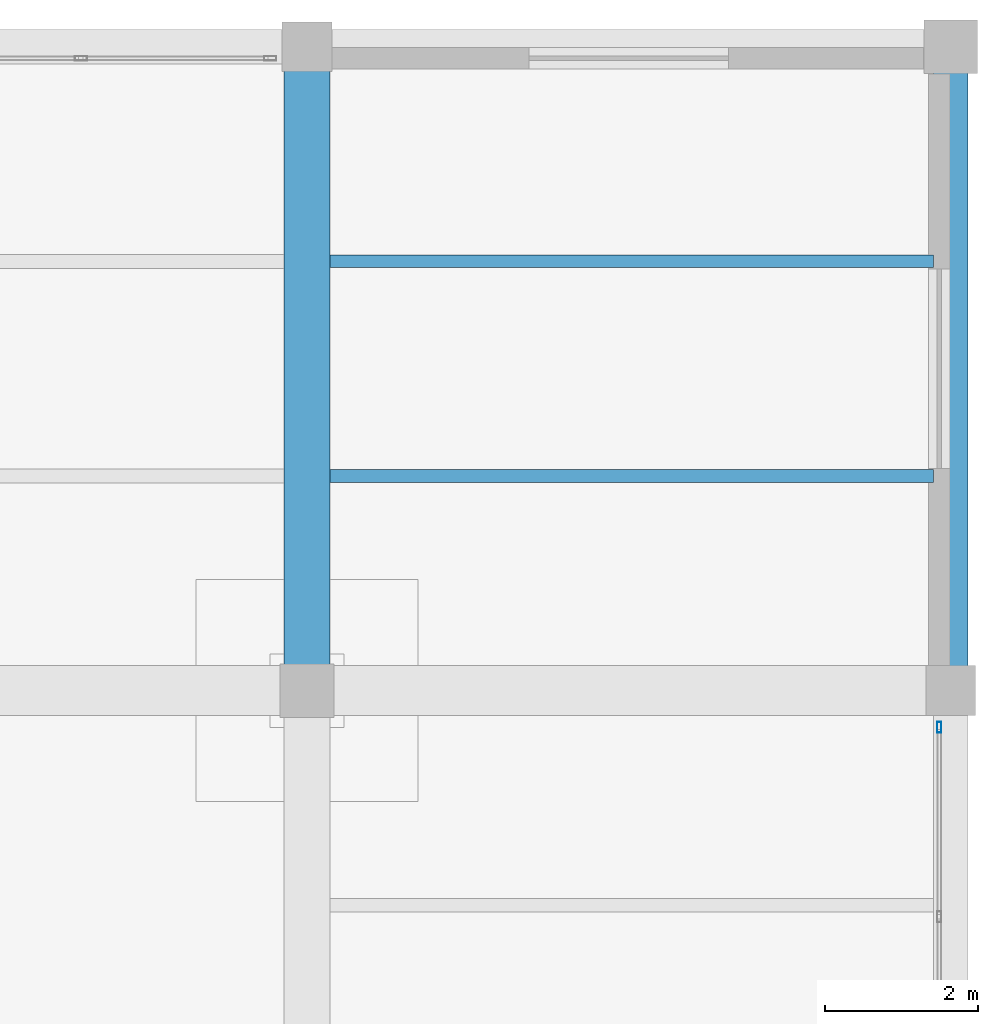
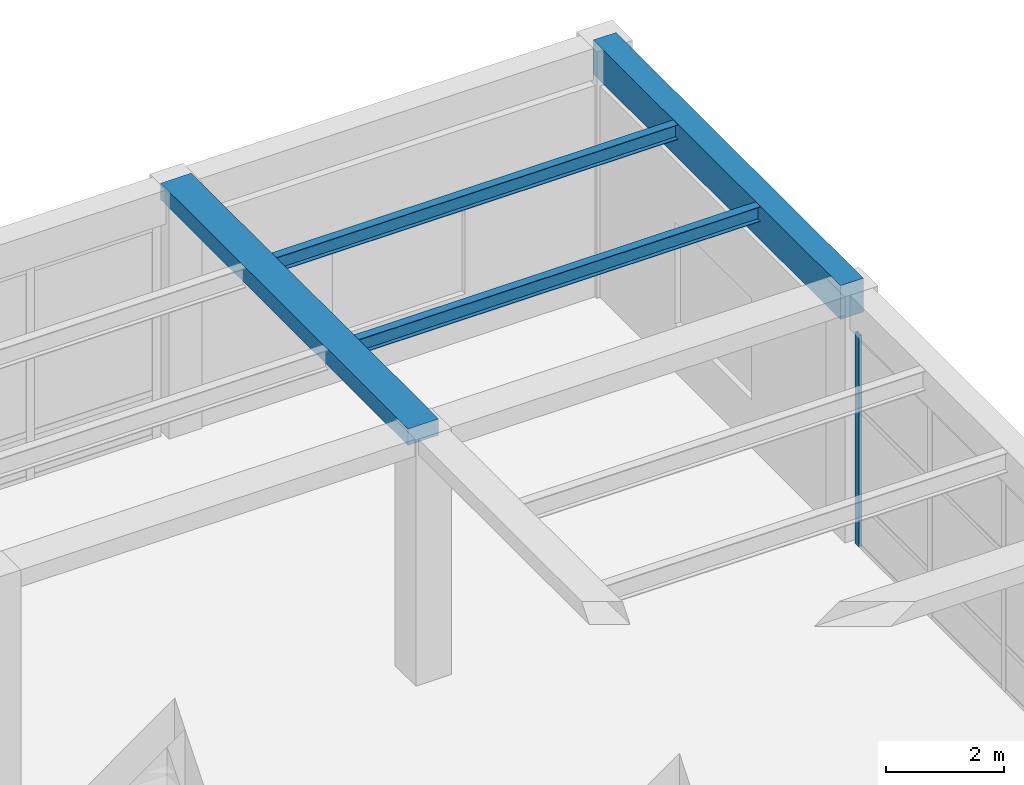
# One storey, part 66 of 96: 4 beams, 1 member, 1 element without a shape of its own.
"""IFC4 building model written with IfcOpenShell, lengths in metres."""

from ifc_helpers import new_model, si_unit, direction, frame, origin, origin_2d, place, context, subcontext, project, spatial, rectangle, hollow_rectangle, i_section, extrude, material, material_profile, profile_set, type_object, element, aggregate, save


model = new_model("IFC4")

# Units and contexts
model_context = context("Model", 3, precision=1e-05, world=origin(), true_north=direction((0.0, 1.0)))
body_context = subcontext(model_context, "Body", "Model", "MODEL_VIEW")
ifc_project = project(units=[si_unit("LENGTHUNIT", "METRE"), si_unit("AREAUNIT", "SQUARE_METRE"), si_unit("VOLUMEUNIT", "CUBIC_METRE"), si_unit("PLANEANGLEUNIT", "RADIAN"), si_unit("MASSUNIT", "GRAM", prefix="KILO")], contexts=[model_context])

# Site, building, storey
site_placement = place(None, origin())
site = spatial("IfcSite", under=ifc_project, at=site_placement, CompositionType="ELEMENT")
building_placement = place(site_placement, origin())
building = spatial("IfcBuilding", under=site, at=building_placement, Name="Almacenes y Pasaje Nevantli", CompositionType="ELEMENT")
storey_placement = place(building_placement, frame((0.0, 0.0, 6.0)))
storey = spatial("IfcBuildingStorey", under=building, at=storey_placement, Name="L02", CompositionType="ELEMENT", Elevation=6.0)

# Beams
ifc_material_1 = material(Name="Concrete C35/45", Category="concrete")
ifc_material_profile_1 = material_profile(ifc_material_1, rectangle(XDim=0.449951171875, YDim=0.699951171875, at=origin_2d()), Name="RC-BM-450x700")
ifc_profile_set_1 = profile_set([ifc_material_profile_1], Name="Concrete C35/45")
beam_type_1 = type_object("IfcBeamType", Name="BM-RC-450x700", PredefinedType="SPANDREL", material=ifc_profile_set_1)
beam_1_placement = place(storey_placement, frame((168.0, 109.199951171875, 4.75), z_axis=(0.0, 1.0, 0.0), x_axis=(-1.0, 0.0, 0.0)))
element("IfcBeam", 1, at=beam_1_placement, inside=storey, type_object=beam_type_1, Name="L02 North-South Reinforced Concrete Beam #2202", PredefinedType="SPANDREL", context=body_context, shape_type="SweptSolid", body=[
    extrude(rectangle(XDim=0.449951171875, YDim=0.699951171875, at=origin_2d()), origin(), (0.0, 0.0, 1.0), 8.400146484375),
])
ifc_material_2 = material(Name="Concrete C35/45", Category="concrete")
ifc_material_profile_2 = material_profile(ifc_material_2, rectangle(XDim=0.60009765625, YDim=0.340087890625, at=origin_2d()), Name="RC-BM-600x340")
ifc_profile_set_2 = profile_set([ifc_material_profile_2], Name="Concrete C35/45")
beam_type_2 = type_object("IfcBeamType", Name="BM-RC-600x340", PredefinedType="BEAM", material=ifc_profile_set_2)
beam_2_placement = place(storey_placement, frame((159.60009765625, 109.199951171875, 4.929931640625), z_axis=(0.0, 1.0, 0.0), x_axis=(-1.0, 0.0, 0.0)))
element("IfcBeam", 2, at=beam_2_placement, inside=storey, type_object=beam_type_2, Name="L02 North-South Reinforced Concrete Beam #2188", PredefinedType="BEAM", context=body_context, shape_type="SweptSolid", body=[
    extrude(rectangle(XDim=0.60009765625, YDim=0.340087890625, at=origin_2d()), origin(), (0.0, 0.0, 1.0), 8.400146484375),
])
ifc_material_3 = material(Name="Steel ASTM A992", Category="steel")
ifc_material_profile_3 = material_profile(ifc_material_3, i_section(OverallWidth=0.1650390625, OverallDepth=0.306884765625, WebThickness=0.006591796875, FlangeThickness=0.01025390625, at=origin_2d()), Name="IR 305x44.6")
ifc_profile_set_3 = profile_set([ifc_material_profile_3], Name="Steel ASTM A992")
beam_type_3 = type_object("IfcBeamType", Name="BM-STL-IR-305x44p6", PredefinedType="JOIST", material=ifc_profile_set_3)
for number, where, z_axis, x_axis, name in (
    (3, (159.89990234375, 112.0, 4.9384765625), (1.0, 0.0, 0.0), (0.0, 1.0, 0.0), "L02 Secondary Steel Floor Joist #675"),
    (4, (159.89990234375, 114.800048828125, 4.9384765625), (1.0, 0.0, 0.0), (0.0, 1.0, 0.0), "L02 Secondary Steel Floor Joist #676"),
):
    element("IfcBeam", number, at=place(storey_placement, frame(where, z_axis=z_axis, x_axis=x_axis)), inside=storey, type_object=beam_type_3, Name=name, PredefinedType="JOIST", context=body_context, shape_type="SweptSolid", body=[
        extrude(i_section(OverallWidth=0.1650390625, OverallDepth=0.306884765625, WebThickness=0.006591796875, FlangeThickness=0.01025390625, at=origin_2d()), origin(), (0.0, 0.0, 1.0), 7.875),
    ])

# Curtain wall, member
ifc_material_4 = material(Name="Thermally Broken Aluminium and Low-E Glass", Category="aluminium")
curtain_wall_type = type_object("IfcCurtainWallType", Name="CW-UNIT-PODIUM", PredefinedType="USERDEFINED", material=ifc_material_4)
curtain_wall_placement = place(storey_placement, origin())
curtain_wall = element("IfcCurtainWall", 5, at=curtain_wall_placement, inside=storey, type_object=curtain_wall_type, Name="L02 East Office Wing Curtain Wall Bay 13", ObjectType="UNITIZED CURTAIN WALL", PredefinedType="USERDEFINED")
ifc_material_5 = material(Name="Thermally Broken Anodized Aluminium", Category="aluminium")
ifc_material_profile_4 = material_profile(ifc_material_5, hollow_rectangle(XDim=0.054931640625, YDim=0.139892578125, WallThickness=0.00341796875, at=origin_2d()), Name="ALU-MUL-55x140")
ifc_profile_set_4 = profile_set([ifc_material_profile_4], Name="Thermally Broken Anodized Aluminium")
member_type = type_object("IfcMemberType", Name="CW-MUL-160", PredefinedType="MULLION", material=ifc_profile_set_4)
member_placement = place(storey_placement, frame((167.85009765625, 108.722412109375, 0.0), z_axis=(0.0, 0.0, 1.0), x_axis=(-1.0, 0.0, 0.0)))
member = element("IfcMember", 6, at=member_placement, type_object=member_type, Name="CW-L02-024 mullion 4", PredefinedType="MULLION", context=body_context, shape_type="SweptSolid", body=[
    extrude(hollow_rectangle(XDim=0.054931640625, YDim=0.139892578125, WallThickness=0.00341796875, at=origin_2d()), origin(), (0.0, 0.0, 1.0), 4.3798828125),
])
aggregate(curtain_wall, [member])

save(model, "model.ifc")
